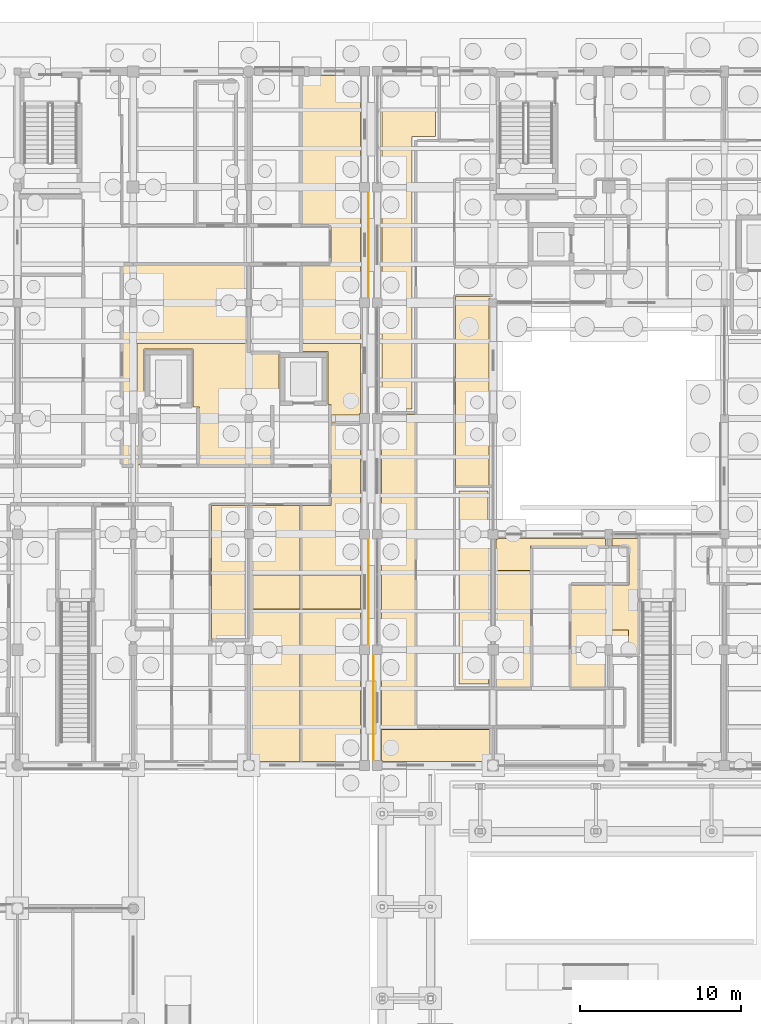
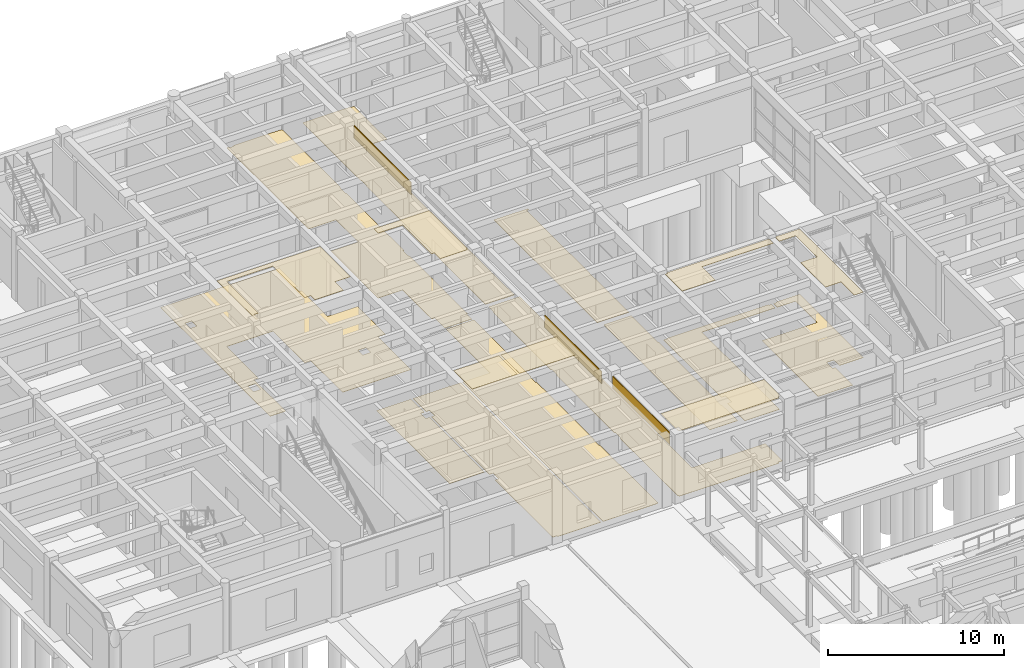
# One storey, part 133 of 143: 21 coverings.
"""IFC4 building model written with IfcOpenShell, lengths in metres."""

from ifc_helpers import new_model, si_unit, direction, frame, origin, origin_2d, place, context, subcontext, project, spatial, polyline, rectangle, outline, extrude, material, layer, layer_set, type_object, element, save


model = new_model("IFC4")

# Units and contexts
model_context = context("Model", 3, precision=1e-05, world=origin(), true_north=direction((0.0, 1.0)))
body_context = subcontext(model_context, "Body", "Model", "MODEL_VIEW")
ifc_project = project(units=[si_unit("LENGTHUNIT", "METRE"), si_unit("AREAUNIT", "SQUARE_METRE"), si_unit("VOLUMEUNIT", "CUBIC_METRE"), si_unit("PLANEANGLEUNIT", "RADIAN"), si_unit("MASSUNIT", "GRAM", prefix="KILO")], contexts=[model_context])

# Site, building, storey
site_placement = place(None, origin())
site = spatial("IfcSite", under=ifc_project, at=site_placement, CompositionType="ELEMENT")
building_placement = place(site_placement, origin())
building = spatial("IfcBuilding", under=site, at=building_placement, Name="Steenspoor Specialist Clinic", CompositionType="ELEMENT")
storey_placement = place(building_placement, origin())
storey = spatial("IfcBuildingStorey", under=building, at=storey_placement, Name="L00", CompositionType="ELEMENT", Elevation=0.0)

# Coverings
ifc_material_1 = material(Name="Washable acoustic mineral ceiling board", Category="gypsum")
ifc_layer_1 = layer(ifc_material_1, 0.02490234375)
ifc_layer_set_1 = layer_set([ifc_layer_1], Name="Washable acoustic mineral ceiling board")
covering_type_1 = type_object("IfcCoveringType", Name="COV-CEIL-ACOUSTIC", PredefinedType="CEILING", material=ifc_layer_set_1)
covering_1_placement = place(storey_placement, frame((0.0, 0.0, 4.52490234375)))
element("IfcCovering", 1, at=covering_1_placement, inside=storey, type_object=covering_type_1, Name="Acoustic Clinical Ceiling 048", PredefinedType="CEILING", context=body_context, shape_type="SweptSolid", body=[
    extrude(outline(polyline([(52.715087890625, 65.409912109375), (52.715087890625, 65.465087890625), (52.659912109375, 65.465087890625), (52.659912109375, 67.39990234375), (59.405029296875, 67.39990234375), (59.405029296875, 65.514892578125), (59.235107421875, 65.514892578125), (59.235107421875, 65.409912109375), (52.715087890625, 65.409912109375)])), origin(), (0.0, 0.0, 1.0), 0.025146484375),
])
covering_2_placement = place(storey_placement, frame((0.0, 0.0, 4.52490234375)))
element("IfcCovering", 2, at=covering_2_placement, inside=storey, type_object=covering_type_1, Name="Acoustic Clinical Ceiling 058", PredefinedType="CEILING", context=body_context, shape_type="SweptSolid", body=[
    extrude(outline(polyline([(66.56005859375, 79.2900390625), (66.56005859375, 79.235107421875), (66.60498046875, 79.235107421875), (66.60498046875, 78.81494140625), (61.93505859375, 78.81494140625), (61.93505859375, 77.2900390625), (59.77001953125, 77.2900390625), (59.77001953125, 79.235107421875), (59.9150390625, 79.235107421875), (59.9150390625, 79.2900390625), (66.56005859375, 79.2900390625)])), origin(), (0.0, 0.0, 1.0), 0.025146484375),
])
covering_3_placement = place(storey_placement, frame((0.0, 0.0, 4.52490234375)))
element("IfcCovering", 3, at=covering_3_placement, inside=storey, type_object=covering_type_1, Name="Acoustic Clinical Ceiling 059", PredefinedType="CEILING", context=body_context, shape_type="SweptSolid", body=[
    extrude(outline(polyline([(68.610107421875, 79.2900390625), (68.610107421875, 72.06494140625), (68.02001953125, 72.06494140625), (68.02001953125, 73.570068359375), (66.9951171875, 73.570068359375), (66.9951171875, 76.385009765625), (68.06494140625, 76.385009765625), (68.06494140625, 78.81494140625), (66.9951171875, 78.81494140625), (66.9951171875, 79.235107421875), (67.0400390625, 79.235107421875), (67.0400390625, 79.2900390625), (68.610107421875, 79.2900390625)])), origin(), (0.0, 0.0, 1.0), 0.025146484375),
])
covering_4_placement = place(storey_placement, frame((0.0, 0.0, 4.4951171875)))
element("IfcCovering", 4, at=covering_4_placement, inside=storey, type_object=covering_type_1, Name="Acoustic Clinical Ceiling 075", PredefinedType="CEILING", context=body_context, shape_type="SweptSolid", body=[
    extrude(outline(polyline([(47.5849609375, 74.889892578125), (44.6201171875, 74.889892578125), (44.6201171875, 77.0), (47.5849609375, 77.0), (47.5849609375, 74.889892578125)])), origin(), (0.0, 0.0, 1.0), 0.02490234375),
])
covering_5_placement = place(storey_placement, frame((0.0, 0.0, 4.4951171875)))
element("IfcCovering", 5, at=covering_5_placement, inside=storey, type_object=covering_type_1, Name="Acoustic Clinical Ceiling 076", PredefinedType="CEILING", context=body_context, shape_type="SweptSolid", body=[
    extrude(outline(polyline([(51.340087890625, 74.889892578125), (47.715087890625, 74.889892578125), (47.715087890625, 77.0), (51.340087890625, 77.0), (51.340087890625, 74.889892578125)])), origin(), (0.0, 0.0, 1.0), 0.02490234375),
])
covering_6_placement = place(storey_placement, frame((0.0, 0.0, 4.4951171875)))
element("IfcCovering", 6, at=covering_6_placement, inside=storey, type_object=covering_type_1, Name="Acoustic Clinical Ceiling 078", PredefinedType="CEILING", context=body_context, shape_type="SweptSolid", body=[
    extrude(outline(polyline([(40.9150390625, 91.06494140625), (37.885009765625, 91.06494140625), (37.885009765625, 87.465087890625), (37.5849609375, 87.465087890625), (37.5849609375, 86.9951171875), (37.43994140625, 86.9951171875), (37.43994140625, 87.044921875), (37.445068359375, 87.044921875), (37.445068359375, 91.409912109375), (44.205078125, 91.409912109375), (44.205078125, 87.969970703125), (43.179931640625, 87.969970703125), (43.179931640625, 86.9951171875), (41.31494140625, 86.9951171875), (41.31494140625, 87.465087890625), (40.9150390625, 87.465087890625), (40.9150390625, 91.06494140625)])), origin(), (0.0, 0.0, 1.0), 0.02490234375),
])
covering_7_placement = place(storey_placement, frame((0.0, 0.0, 4.4951171875)))
element("IfcCovering", 7, at=covering_7_placement, inside=storey, type_object=covering_type_1, Name="Acoustic Clinical Ceiling 079", PredefinedType="CEILING", context=body_context, shape_type="SweptSolid", body=[
    extrude(outline(polyline([(47.715087890625, 91.39990234375), (51.340087890625, 91.39990234375), (51.340087890625, 87.06494140625), (51.284912109375, 87.06494140625), (51.284912109375, 86.969970703125), (49.514892578125, 86.969970703125), (49.514892578125, 87.614990234375), (49.31494140625, 87.614990234375), (49.31494140625, 90.9150390625), (47.715087890625, 90.9150390625), (47.715087890625, 91.39990234375)])), origin(), (0.0, 0.0, 1.0), 0.02490234375),
])
ifc_material_2 = material(Name="Glazed ceramic relief spandrel cladding", Category="masonry")
ifc_layer_2 = layer(ifc_material_2, 0.034912109375)
ifc_layer_set_2 = layer_set([ifc_layer_2], Name="Glazed ceramic relief spandrel cladding")
covering_type_2 = type_object("IfcCoveringType", Name="COV-CLAD-CERAMIC", PredefinedType="CLADDING", material=ifc_layer_set_2)
for number, where, z_axis, x_axis, name in (
    (8, (52.14990234375, 68.75, 3.71484375), (0.0, 0.0, 1.0), (0.0, 1.0, 0.0), "Spandrel Cladding 22"),
    (9, (51.85009765625, 97.550048828125, 3.68505859375), (0.0, 0.0, 1.0), (0.0, -1.0, 0.0), "Spandrel Cladding 68"),
    (10, (51.85009765625, 75.949951171875, 3.68505859375), (0.0, 0.0, 1.0), (0.0, -1.0, 0.0), "Spandrel Cladding 69"),
):
    element("IfcCovering", number, at=place(storey_placement, frame(where, z_axis=z_axis, x_axis=x_axis)), inside=storey, type_object=covering_type_2, Name=name, PredefinedType="CLADDING", context=body_context, shape_type="SweptSolid", body=[
        extrude(rectangle(XDim=6.47998046875, YDim=0.0400390625, at=origin_2d()), origin(), (0.0, 0.0, 1.0), 0.840087890625),
    ])
ifc_material_3 = material(Name="Seamless clinical vinyl and terrazzo flooring", Category="plastic")
ifc_layer_3 = layer(ifc_material_3, 0.02001953125)
ifc_layer_set_3 = layer_set([ifc_layer_3], Name="Seamless clinical vinyl and terrazzo flooring")
covering_type_3 = type_object("IfcCoveringType", Name="COV-FLOOR-VINYL", PredefinedType="FLOORING", material=ifc_layer_set_3)
covering_8_placement = place(storey_placement, origin())
element("IfcCovering", 11, at=covering_8_placement, inside=storey, type_object=covering_type_3, Name="Clinical Vinyl Flooring 75", PredefinedType="FLOORING", context=body_context, shape_type="SweptSolid", body=[
    extrude(outline(polyline([(54.735107421875, 67.485107421875), (59.534912109375, 67.485107421875), (59.534912109375, 65.514892578125), (59.235107421875, 65.514892578125), (59.235107421875, 65.409912109375), (52.715087890625, 65.409912109375), (52.715087890625, 65.465087890625), (52.659912109375, 65.465087890625), (52.659912109375, 72.034912109375), (52.715087890625, 72.034912109375), (52.715087890625, 72.6650390625), (52.659912109375, 72.6650390625), (52.659912109375, 79.235107421875), (52.715087890625, 79.235107421875), (52.715087890625, 79.864990234375), (52.659912109375, 79.864990234375), (52.659912109375, 86.43505859375), (52.715087890625, 86.43505859375), (52.715087890625, 87.034912109375), (54.735107421875, 87.034912109375), (54.735107421875, 67.485107421875)])), origin(), (0.0, 0.0, 1.0), 0.02001953125),
])
covering_9_placement = place(storey_placement, origin())
element("IfcCovering", 12, at=covering_9_placement, inside=storey, type_object=covering_type_3, Name="Clinical Vinyl Flooring 86", PredefinedType="FLOORING", context=body_context, shape_type="SweptSolid", body=[
    extrude(outline(polyline([(59.31494140625, 79.22509765625), (59.31494140625, 72.68994140625), (59.260009765625, 72.68994140625), (59.260009765625, 72.010009765625), (59.31494140625, 72.010009765625), (59.31494140625, 70.235107421875), (57.485107421875, 70.235107421875), (57.485107421875, 82.239990234375), (59.27490234375, 82.239990234375), (59.27490234375, 79.22509765625), (59.31494140625, 79.22509765625)])), origin(), (0.0, 0.0, 1.0), 0.02001953125),
])
covering_10_placement = place(storey_placement, origin())
element("IfcCovering", 13, at=covering_10_placement, inside=storey, type_object=covering_type_3, Name="Clinical Vinyl Flooring 87", PredefinedType="FLOORING", context=body_context, shape_type="SweptSolid", body=[
    extrude(outline(polyline([(59.6650390625, 72.010009765625), (59.93994140625, 72.010009765625), (59.93994140625, 72.68994140625), (59.6650390625, 72.68994140625), (59.6650390625, 79.235107421875), (59.9150390625, 79.235107421875), (59.9150390625, 79.2900390625), (66.56005859375, 79.2900390625), (66.56005859375, 79.235107421875), (66.735107421875, 79.235107421875), (66.735107421875, 78.81494140625), (61.93505859375, 78.81494140625), (61.93505859375, 70.014892578125), (59.6650390625, 70.014892578125), (59.6650390625, 72.010009765625)])), origin(), (0.0, 0.0, 1.0), 0.02001953125),
])
covering_11_placement = place(storey_placement, origin())
element("IfcCovering", 14, at=covering_11_placement, inside=storey, type_object=covering_type_3, Name="Clinical Vinyl Flooring 88", PredefinedType="FLOORING", context=body_context, shape_type="SweptSolid", body=[
    extrude(outline(polyline([(66.864990234375, 78.81494140625), (66.864990234375, 79.235107421875), (67.0400390625, 79.235107421875), (67.0400390625, 79.2900390625), (68.610107421875, 79.2900390625), (68.610107421875, 72.06494140625), (67.0400390625, 72.06494140625), (67.0400390625, 72.68994140625), (66.56005859375, 72.68994140625), (66.56005859375, 72.010009765625), (66.735107421875, 72.010009765625), (66.735107421875, 70.014892578125), (64.465087890625, 70.014892578125), (64.465087890625, 76.385009765625), (68.06494140625, 76.385009765625), (68.06494140625, 78.81494140625), (66.864990234375, 78.81494140625)])), origin(), (0.0, 0.0, 1.0), 0.02001953125),
])
covering_12_placement = place(storey_placement, origin())
element("IfcCovering", 15, at=covering_12_placement, inside=storey, type_object=covering_type_3, Name="Clinical Vinyl Flooring 94", PredefinedType="FLOORING", context=body_context, shape_type="SweptSolid", body=[
    extrude(outline(polyline([(59.340087890625, 87.0400390625), (59.31005859375, 87.0400390625), (59.31005859375, 86.4599609375), (59.340087890625, 86.4599609375), (59.340087890625, 82.590087890625), (57.264892578125, 82.590087890625), (57.264892578125, 94.3349609375), (59.4951171875, 94.3349609375), (59.4951171875, 94.215087890625), (59.3349609375, 94.215087890625), (59.3349609375, 93.68505859375), (59.340087890625, 93.68505859375), (59.340087890625, 87.0400390625)])), origin(), (0.0, 0.0, 1.0), 0.02001953125),
])
covering_13_placement = place(storey_placement, origin())
element("IfcCovering", 16, at=covering_13_placement, inside=storey, type_object=covering_type_3, Name="Clinical Vinyl Flooring 96", PredefinedType="FLOORING", context=body_context, shape_type="SweptSolid", body=[
    extrude(outline(polyline([(52.675048828125, 87.3349609375), (52.675048828125, 93.635009765625), (52.715087890625, 93.635009765625), (52.715087890625, 94.264892578125), (52.675048828125, 94.264892578125), (52.675048828125, 100.8349609375), (52.715087890625, 100.8349609375), (52.715087890625, 101.465087890625), (52.675048828125, 101.465087890625), (52.675048828125, 108.034912109375), (52.715087890625, 108.034912109375), (52.715087890625, 108.074951171875), (55.8349609375, 108.074951171875), (55.8349609375, 108.02490234375), (56.014892578125, 108.02490234375), (56.014892578125, 104.284912109375), (54.56494140625, 104.284912109375), (54.56494140625, 87.3349609375), (52.675048828125, 87.3349609375)])), origin(), (0.0, 0.0, 1.0), 0.02001953125),
])
covering_14_placement = place(storey_placement, origin())
element("IfcCovering", 17, at=covering_14_placement, inside=storey, type_object=covering_type_3, Name="Clinical Vinyl Flooring 108", PredefinedType="FLOORING", context=body_context, shape_type="SweptSolid", body=[
    extrude(outline(polyline([(47.5849609375, 65.409912109375), (44.739990234375, 65.409912109375), (44.739990234375, 65.489990234375), (44.465087890625, 65.489990234375), (44.465087890625, 72.034912109375), (44.715087890625, 72.034912109375), (44.715087890625, 72.6650390625), (44.465087890625, 72.6650390625), (44.465087890625, 79.260009765625), (44.68994140625, 79.260009765625), (44.68994140625, 79.840087890625), (44.465087890625, 79.840087890625), (44.465087890625, 81.3349609375), (47.5849609375, 81.3349609375), (47.5849609375, 65.409912109375)])), origin(), (0.0, 0.0, 1.0), 0.02001953125),
])
covering_15_placement = place(storey_placement, origin())
element("IfcCovering", 18, at=covering_15_placement, inside=storey, type_object=covering_type_3, Name="Clinical Vinyl Flooring 109", PredefinedType="FLOORING", context=body_context, shape_type="SweptSolid", body=[
    extrude(outline(polyline([(49.514892578125, 81.3349609375), (49.514892578125, 86.3349609375), (51.340087890625, 86.3349609375), (51.340087890625, 79.864990234375), (51.284912109375, 79.864990234375), (51.284912109375, 79.235107421875), (51.340087890625, 79.235107421875), (51.340087890625, 72.6650390625), (51.284912109375, 72.6650390625), (51.284912109375, 72.034912109375), (51.340087890625, 72.034912109375), (51.340087890625, 65.465087890625), (51.284912109375, 65.465087890625), (51.284912109375, 65.409912109375), (47.715087890625, 65.409912109375), (47.715087890625, 81.3349609375), (49.514892578125, 81.3349609375)])), origin(), (0.0, 0.0, 1.0), 0.02001953125),
])
covering_16_placement = place(storey_placement, origin())
element("IfcCovering", 19, at=covering_16_placement, inside=storey, type_object=covering_type_3, Name="Clinical Vinyl Flooring 110", PredefinedType="FLOORING", context=body_context, shape_type="SweptSolid", body=[
    extrude(outline(polyline([(42.06494140625, 73.010009765625), (42.06494140625, 81.3349609375), (44.3349609375, 81.3349609375), (44.3349609375, 79.840087890625), (44.110107421875, 79.840087890625), (44.110107421875, 79.260009765625), (44.3349609375, 79.260009765625), (44.3349609375, 73.010009765625), (42.06494140625, 73.010009765625)])), origin(), (0.0, 0.0, 1.0), 0.02001953125),
])
covering_17_placement = place(storey_placement, origin())
element("IfcCovering", 20, at=covering_17_placement, inside=storey, type_object=covering_type_3, Name="Clinical Vinyl Flooring 112", PredefinedType="FLOORING", context=body_context, shape_type="SweptSolid", body=[
    extrude(outline(polyline([(40.9150390625, 87.465087890625), (40.9150390625, 91.06494140625), (37.885009765625, 91.06494140625), (37.885009765625, 87.465087890625), (37.5849609375, 87.465087890625), (37.5849609375, 83.864990234375), (36.56494140625, 83.864990234375), (36.56494140625, 96.284912109375), (44.3349609375, 96.284912109375), (44.3349609375, 94.18994140625), (44.159912109375, 94.18994140625), (44.159912109375, 93.7099609375), (44.3349609375, 93.7099609375), (44.3349609375, 90.784912109375), (46.284912109375, 90.784912109375), (46.284912109375, 87.614990234375), (45.784912109375, 87.614990234375), (45.784912109375, 83.864990234375), (41.31494140625, 83.864990234375), (41.31494140625, 87.465087890625), (40.9150390625, 87.465087890625)]), holes=[polyline([(37.43994140625, 87.06494140625), (36.9599609375, 87.06494140625), (36.9599609375, 86.43505859375), (37.43994140625, 86.43505859375), (37.43994140625, 87.06494140625)]), polyline([(44.6650390625, 86.485107421875), (44.6650390625, 87.014892578125), (44.135009765625, 87.014892578125), (44.135009765625, 86.485107421875), (44.6650390625, 86.485107421875)]), polyline([(37.4150390625, 94.239990234375), (36.985107421875, 94.239990234375), (36.985107421875, 93.659912109375), (37.4150390625, 93.659912109375), (37.4150390625, 94.239990234375)])]), origin(), (0.0, 0.0, 1.0), 0.02001953125),
])
covering_18_placement = place(storey_placement, origin())
element("IfcCovering", 21, at=covering_18_placement, inside=storey, type_object=covering_type_3, Name="Clinical Vinyl Flooring 113", PredefinedType="FLOORING", context=body_context, shape_type="SweptSolid", body=[
    extrude(outline(polyline([(47.715087890625, 90.9150390625), (47.715087890625, 96.284912109375), (49.514892578125, 96.284912109375), (49.514892578125, 98.81494140625), (47.715087890625, 98.81494140625), (47.715087890625, 108.090087890625), (47.8349609375, 108.090087890625), (47.8349609375, 108.02490234375), (48.1650390625, 108.02490234375), (48.1650390625, 108.090087890625), (51.284912109375, 108.090087890625), (51.284912109375, 108.034912109375), (51.340087890625, 108.034912109375), (51.340087890625, 101.465087890625), (51.284912109375, 101.465087890625), (51.284912109375, 100.8349609375), (51.340087890625, 100.8349609375), (51.340087890625, 94.264892578125), (51.284912109375, 94.264892578125), (51.284912109375, 93.635009765625), (51.340087890625, 93.635009765625), (51.340087890625, 87.06494140625), (51.284912109375, 87.06494140625), (51.284912109375, 86.465087890625), (49.514892578125, 86.465087890625), (49.514892578125, 87.614990234375), (49.31494140625, 87.614990234375), (49.31494140625, 90.9150390625), (47.715087890625, 90.9150390625)])), origin(), (0.0, 0.0, 1.0), 0.02001953125),
])

save(model, "model.ifc")
